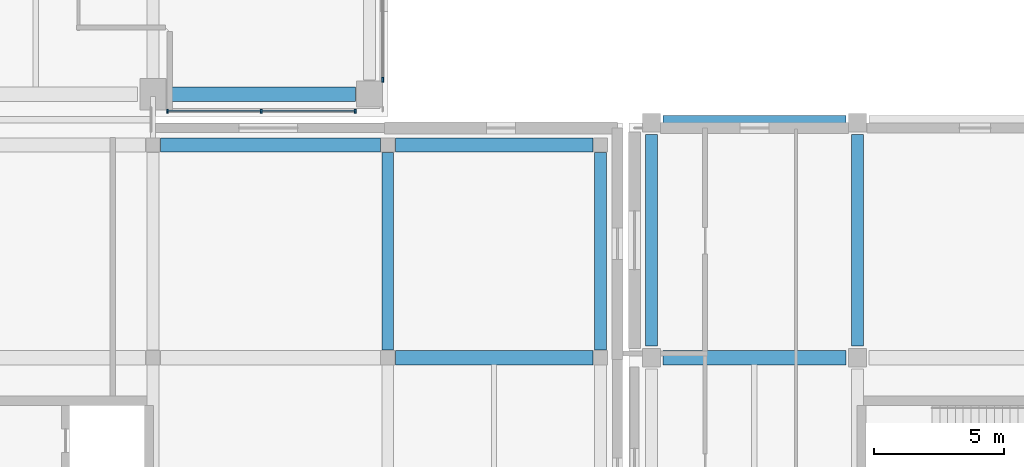
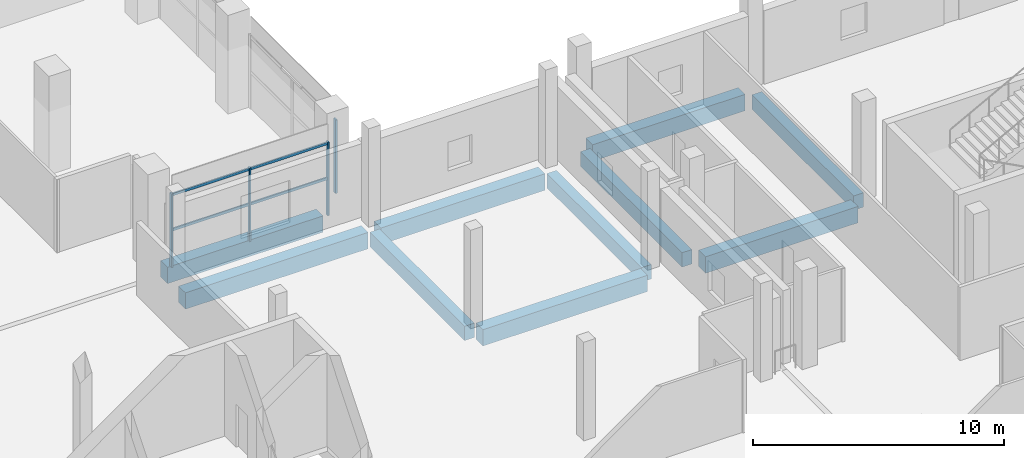
# One storey, part 8 of 111: 10 beams, 6 members, 2 elements without a shape of their own.
"""IFC4 building model written with IfcOpenShell, lengths in metres."""

from ifc_helpers import new_model, si_unit, direction, frame, origin, origin_2d, place, context, subcontext, project, spatial, rectangle, extrude, material, material_profile, profile_set, type_object, element, aggregate, save


model = new_model("IFC4")

# Units and contexts
model_context = context("Model", 3, precision=1e-05, world=origin(), true_north=direction((0.0, 1.0)))
body_context = subcontext(model_context, "Body", "Model", "MODEL_VIEW")
ifc_project = project(units=[si_unit("LENGTHUNIT", "METRE"), si_unit("AREAUNIT", "SQUARE_METRE"), si_unit("VOLUMEUNIT", "CUBIC_METRE"), si_unit("PLANEANGLEUNIT", "RADIAN"), si_unit("MASSUNIT", "GRAM", prefix="KILO"), si_unit("THERMODYNAMICTEMPERATUREUNIT", "KELVIN"), si_unit("POWERUNIT", "WATT")], contexts=[model_context])

# Site, building, storey
site_placement = place(None, origin())
site = spatial("IfcSite", under=ifc_project, at=site_placement, CompositionType="ELEMENT")
building_placement = place(site_placement, origin())
building = spatial("IfcBuilding", under=site, at=building_placement, Name="Sindhuravela Promenade Stadium", CompositionType="ELEMENT")
storey_placement = place(building_placement, frame((0.0, 0.0, 9.60009765625)))
storey = spatial("IfcBuildingStorey", under=building, at=storey_placement, Name="L02", CompositionType="ELEMENT", Elevation=9.60009765625)

# Curtain wall, member
ifc_material_1 = material(Name="Anodised architectural aluminium 6063-T6", Category="aluminium")
curtain_wall_type_1 = type_object("IfcCurtainWallType", Name="CW-MOD-1", PredefinedType="NOTDEFINED", material=ifc_material_1)
curtain_wall_1_placement = place(storey_placement, origin())
curtain_wall_1 = element("IfcCurtainWall", 1, at=curtain_wall_1_placement, inside=storey, type_object=curtain_wall_type_1, Name="Bronze curtain wall CW-WEST-L02-024", PredefinedType="NOTDEFINED")
ifc_material_profile_1 = material_profile(ifc_material_1, rectangle(XDim=0.074951171875, YDim=0.175048828125, at=origin_2d()), Name="ALU MULL 75x175")
ifc_profile_set_1 = profile_set([ifc_material_profile_1], Name="Anodised architectural aluminium 6063-T6")
member_type_1 = type_object("IfcMemberType", Name="CW-MUL-1", PredefinedType="MULLION", material=ifc_profile_set_1)
member_1_placement = place(storey_placement, frame((44.800048828125, 37.64990234375, 0.0), z_axis=(0.0, 0.0, 1.0), x_axis=(1.0, 0.0, 0.0)))
member_1 = element("IfcMember", 2, at=member_1_placement, type_object=member_type_1, Name="Curtain wall mullion CW-WEST-L02-024-M3", PredefinedType="MULLION", context=body_context, shape_type="SweptSolid", body=[
    extrude(rectangle(XDim=0.074951171875, YDim=0.175048828125, at=origin_2d()), origin(), (0.0, 0.0, 1.0), 3.579833984375),
])
aggregate(curtain_wall_1, [member_1])

# Curtain wall, members
curtain_wall_type_2 = type_object("IfcCurtainWallType", Name="CW-MOD-2", PredefinedType="NOTDEFINED", material=ifc_material_1)
curtain_wall_2_placement = place(storey_placement, origin())
curtain_wall_2 = element("IfcCurtainWall", 3, at=curtain_wall_2_placement, inside=storey, type_object=curtain_wall_type_2, Name="Bronze curtain wall CW-WEST-L02-025", PredefinedType="NOTDEFINED")
ifc_material_profile_2 = material_profile(ifc_material_1, rectangle(XDim=0.06494140625, YDim=0.14990234375, at=origin_2d()), Name="ALU MULL 65x150")
ifc_profile_set_2 = profile_set([ifc_material_profile_2], Name="Anodised architectural aluminium 6063-T6")
member_type_2 = type_object("IfcMemberType", Name="CW-MUL-2", PredefinedType="MULLION", material=ifc_profile_set_2)
member_2_placement = place(storey_placement, frame((43.75, 36.449951171875, 0.0), z_axis=(0.0, 0.0, 1.0), x_axis=(1.0, 0.0, 0.0)))
member_2 = element("IfcMember", 4, at=member_2_placement, type_object=member_type_2, Name="Curtain wall mullion CW-WEST-L02-025-M1", PredefinedType="MULLION", context=body_context, shape_type="SweptSolid", body=[
    extrude(rectangle(XDim=0.06494140625, YDim=0.14990234375, at=origin_2d()), origin(), (0.0, 0.0, 1.0), 3.579833984375),
])
member_3_placement = place(storey_placement, frame((40.14990234375, 36.449951171875, 0.0), z_axis=(0.0, 0.0, 1.0), x_axis=(1.0, 0.0, 0.0)))
member_3 = element("IfcMember", 5, at=member_3_placement, type_object=member_type_2, Name="Curtain wall mullion CW-WEST-L02-025-M2", PredefinedType="MULLION", context=body_context, shape_type="SweptSolid", body=[
    extrude(rectangle(XDim=0.06494140625, YDim=0.14990234375, at=origin_2d()), origin(), (0.0, 0.0, 1.0), 3.579833984375),
])
member_4_placement = place(storey_placement, frame((36.550048828125, 36.449951171875, 0.0), z_axis=(0.0, 0.0, 1.0), x_axis=(1.0, 0.0, 0.0)))
member_4 = element("IfcMember", 6, at=member_4_placement, type_object=member_type_2, Name="Curtain wall mullion CW-WEST-L02-025-M3", PredefinedType="MULLION", context=body_context, shape_type="SweptSolid", body=[
    extrude(rectangle(XDim=0.06494140625, YDim=0.14990234375, at=origin_2d()), origin(), (0.0, 0.0, 1.0), 3.579833984375),
])
ifc_material_profile_3 = material_profile(ifc_material_1, rectangle(XDim=0.06494140625, YDim=0.125, at=origin_2d()), Name="ALU TRAN 65x125")
ifc_profile_set_3 = profile_set([ifc_material_profile_3], Name="Anodised architectural aluminium 6063-T6")
member_type_3 = type_object("IfcMemberType", Name="CW-TRN-2", PredefinedType="USERDEFINED", material=ifc_profile_set_3)
member_5_placement = place(storey_placement, frame((43.77490234375, 36.449951171875, 1.789794921875), z_axis=(-1.0, 0.0, 0.0), x_axis=(0.0, -1.0, 0.0)))
member_5 = element("IfcMember", 7, at=member_5_placement, type_object=member_type_3, Name="Curtain wall transom CW-WEST-L02-025-T1", ObjectType="TRANSOM", PredefinedType="USERDEFINED", context=body_context, shape_type="SweptSolid", body=[
    extrude(rectangle(XDim=0.06494140625, YDim=0.125, at=origin_2d()), origin(), (0.0, 0.0, 1.0), 7.25),
])
member_6_placement = place(storey_placement, frame((43.77490234375, 36.449951171875, 3.5), z_axis=(-1.0, 0.0, 0.0), x_axis=(0.0, -1.0, 0.0)))
member_6 = element("IfcMember", 8, at=member_6_placement, type_object=member_type_3, Name="Curtain wall transom CW-WEST-L02-025-T2", ObjectType="TRANSOM", PredefinedType="USERDEFINED", context=body_context, shape_type="SweptSolid", body=[
    extrude(rectangle(XDim=0.06494140625, YDim=0.125, at=origin_2d()), origin(), (0.0, 0.0, 1.0), 7.25),
])
aggregate(curtain_wall_2, [member_2, member_3, member_4, member_5, member_6])

# Beams
ifc_material_2 = material(Name="Concrete M40", Category="concrete")
ifc_material_profile_4 = material_profile(ifc_material_2, rectangle(XDim=0.449951171875, YDim=0.699951171875, at=origin_2d()), Name="RC 450x700")
ifc_profile_set_4 = profile_set([ifc_material_profile_4], Name="Concrete M40")
beam_type_1 = type_object("IfcBeamType", Name="RC-BM-450x700", PredefinedType="BEAM", material=ifc_profile_set_4)
for number, where, z_axis, x_axis, name in (
    (9, (55.10009765625, 27.43994140625, -0.630126953125), (0.0, 1.0, 0.0), (-1.0, 0.0, 0.0), "Primary beam GB07 SOUTH L02"),
    (10, (63.0, 27.43994140625, -0.630126953125), (0.0, 1.0, 0.0), (-1.0, 0.0, 0.0), "Primary beam GB07 SOUTH L02"),
):
    element("IfcBeam", number, at=place(storey_placement, frame(where, z_axis=z_axis, x_axis=x_axis)), inside=storey, type_object=beam_type_1, Name=name, PredefinedType="BEAM", context=body_context, shape_type="SweptSolid", body=[
        extrude(rectangle(XDim=0.449951171875, YDim=0.699951171875, at=origin_2d()), origin(), (0.0, 0.0, 1.0), 8.1201171875),
    ])
for number, where, z_axis, x_axis, name in (
    (11, (45.0, 27.2900390625, -0.585205078125), (0.0, 1.0, 0.0), (-1.0, 0.0, 0.0), "Primary beam GB07 Pavilion SW L02"),
    (12, (53.14990234375, 27.2900390625, -0.585205078125), (0.0, 1.0, 0.0), (-1.0, 0.0, 0.0), "Primary beam GB07 Pavilion SW L02"),
):
    element("IfcBeam", number, at=place(storey_placement, frame(where, z_axis=z_axis, x_axis=x_axis)), inside=storey, type_object=beam_type_1, Name=name, PredefinedType="BEAM", context=body_context, shape_type="SweptSolid", body=[
        extrude(rectangle(XDim=0.449951171875, YDim=0.699951171875, at=origin_2d()), origin(), (0.0, 0.0, 1.0), 7.570068359375),
    ])
ifc_material_profile_5 = material_profile(ifc_material_2, rectangle(XDim=0.550048828125, YDim=0.800048828125, at=origin_2d()), Name="RC 550x800")
ifc_profile_set_5 = profile_set([ifc_material_profile_5], Name="Concrete M40")
beam_type_2 = type_object("IfcBeamType", Name="RC-BM-550x800", PredefinedType="BEAM", material=ifc_profile_set_5)
beam_1_placement = place(storey_placement, frame((36.590087890625, 37.10009765625, -0.68017578125), z_axis=(1.0, 0.0, 0.0), x_axis=(0.0, 1.0, 0.0)))
element("IfcBeam", 13, at=beam_1_placement, inside=storey, type_object=beam_type_2, Name="Primary girder GB05 WEST L02", PredefinedType="BEAM", context=body_context, shape_type="SweptSolid", body=[
    extrude(rectangle(XDim=0.550048828125, YDim=0.800048828125, at=origin_2d()), origin(), (0.0, 0.0, 1.0), 7.169921875),
])
for number, where, z_axis, x_axis, name in (
    (14, (55.5400390625, 27.0, -0.68017578125), (1.0, 0.0, 0.0), (0.0, 1.0, 0.0), "Primary girder GB05 SOUTH L02"),
    (15, (55.5400390625, 36.0, -0.68017578125), (1.0, 0.0, 0.0), (0.0, 1.0, 0.0), "Primary girder GB05 SOUTH L02"),
):
    element("IfcBeam", number, at=place(storey_placement, frame(where, z_axis=z_axis, x_axis=x_axis)), inside=storey, type_object=beam_type_2, Name=name, PredefinedType="BEAM", context=body_context, shape_type="SweptSolid", body=[
        extrude(rectangle(XDim=0.550048828125, YDim=0.800048828125, at=origin_2d()), origin(), (0.0, 0.0, 1.0), 7.02001953125),
    ])
beam_2_placement = place(storey_placement, frame((45.2900390625, 27.0, -0.635009765625), z_axis=(1.0, 0.0, 0.0), x_axis=(0.0, 1.0, 0.0)))
element("IfcBeam", 16, at=beam_2_placement, inside=storey, type_object=beam_type_2, Name="Primary girder GB05 Pavilion SW L02", PredefinedType="BEAM", context=body_context, shape_type="SweptSolid", body=[
    extrude(rectangle(XDim=0.550048828125, YDim=0.800048828125, at=origin_2d()), origin(), (0.0, 0.0, 1.0), 7.570068359375),
])
beam_3_placement = place(storey_placement, frame((36.2900390625, 35.14990234375, -0.635009765625), z_axis=(1.0, 0.0, 0.0), x_axis=(0.0, 1.0, 0.0)))
element("IfcBeam", 17, at=beam_3_placement, inside=storey, type_object=beam_type_2, Name="Primary girder GB05 Pavilion SW L02", PredefinedType="BEAM", context=body_context, shape_type="SweptSolid", body=[
    extrude(rectangle(XDim=0.550048828125, YDim=0.800048828125, at=origin_2d()), origin(), (0.0, 0.0, 1.0), 8.419921875),
])
beam_4_placement = place(storey_placement, frame((45.2900390625, 35.14990234375, -0.635009765625), z_axis=(1.0, 0.0, 0.0), x_axis=(0.0, 1.0, 0.0)))
element("IfcBeam", 18, at=beam_4_placement, inside=storey, type_object=beam_type_2, Name="Primary girder GB05 Pavilion SW L02", PredefinedType="BEAM", context=body_context, shape_type="SweptSolid", body=[
    extrude(rectangle(XDim=0.550048828125, YDim=0.800048828125, at=origin_2d()), origin(), (0.0, 0.0, 1.0), 7.570068359375),
])

save(model, "model.ifc")
